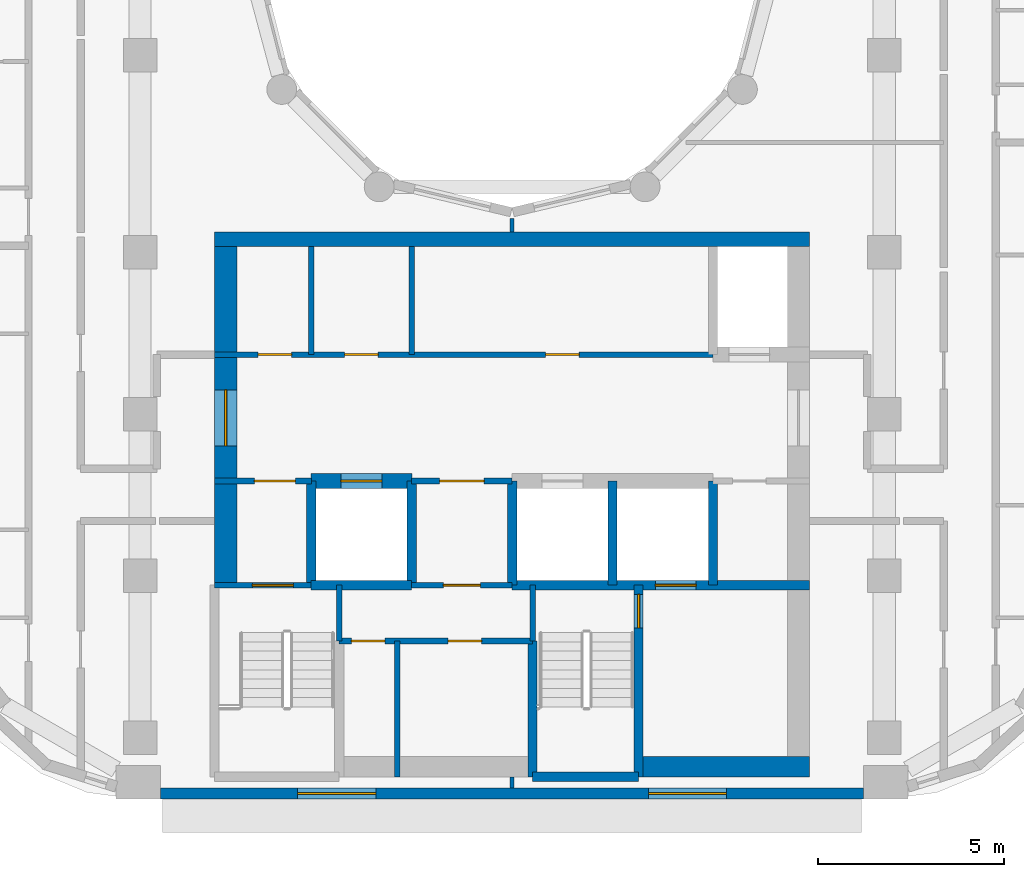
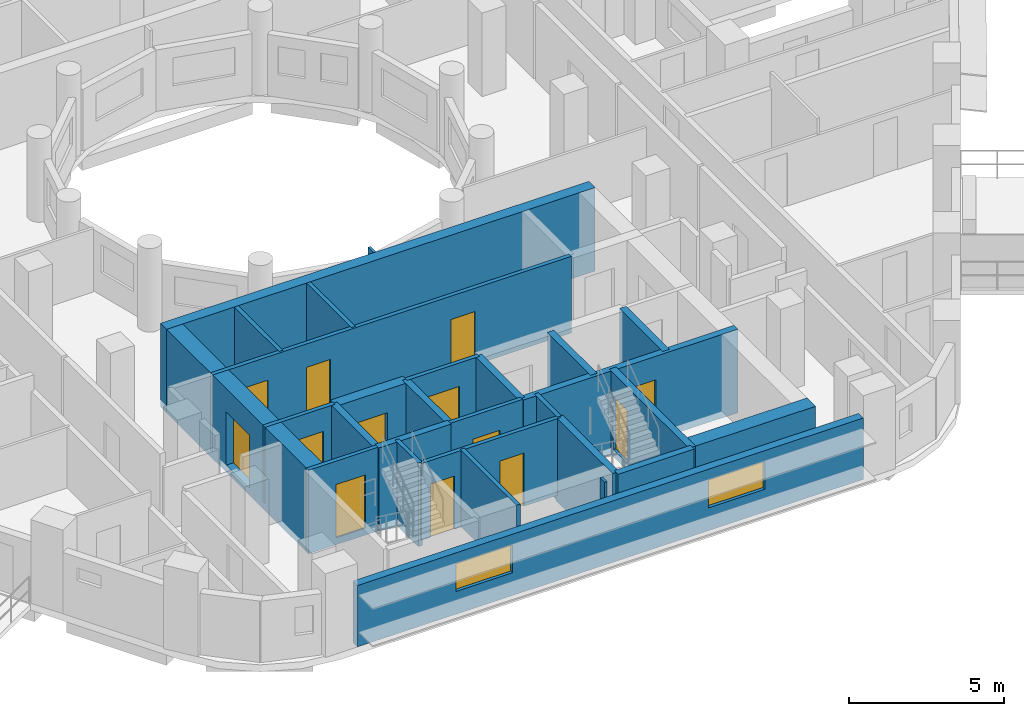
# One storey, part 3 of 15: 28 walls, 13 doors, 2 windows, 15 openings.
"""IFC4 building model written with IfcOpenShell, lengths in metres."""

from ifc_helpers import new_model, si_unit, direction, frame, frame_2d, origin, place, context, subcontext, project, spatial, rectangle, extrude, material, layer, layer_set, type_object, element, fill, save


model = new_model("IFC4")

# Units and contexts
model_context = context("Model", 3, precision=1e-05, world=origin(), true_north=direction((0.0, 1.0)))
body_context = subcontext(model_context, "Body", "Model", "MODEL_VIEW")
ifc_project = project(units=[si_unit("LENGTHUNIT", "METRE"), si_unit("AREAUNIT", "SQUARE_METRE"), si_unit("VOLUMEUNIT", "CUBIC_METRE"), si_unit("PLANEANGLEUNIT", "RADIAN"), si_unit("MASSUNIT", "GRAM", prefix="KILO")], contexts=[model_context])

# Site, building, storey
site_placement = place(None, origin())
site = spatial("IfcSite", under=ifc_project, at=site_placement, CompositionType="ELEMENT")
building_placement = place(site_placement, origin())
building = spatial("IfcBuilding", under=site, at=building_placement, Name="Nakaniwa Court", CompositionType="ELEMENT")
storey_placement = place(building_placement, frame((0.0, 0.0, 183.300048828125)))
storey = spatial("IfcBuildingStorey", under=building, at=storey_placement, Name="L47", CompositionType="ELEMENT", Elevation=183.300048828125)

# Wall, openings, windows
ifc_material_1 = material(Name="Charcoal ceramic cladding")
ifc_layer_1 = layer(ifc_material_1, 0.02, Name="Ceramic cladding")
ifc_material_2 = material(Name="Ventilated air cavity")
ifc_layer_2 = layer(ifc_material_2, 0.04, ventilated=True, Name="Ventilated cavity")
ifc_material_3 = material(Name="Mineral wool insulation")
ifc_layer_3 = layer(ifc_material_3, 0.1, Name="Insulation")
ifc_material_4 = material(Name="Cement bonded sheathing board")
ifc_layer_4 = layer(ifc_material_4, 0.012, Name="Sheathing")
ifc_material_5 = material(Name="Cold-formed galvanised stud frame with mineral wool infill")
ifc_layer_5 = layer(ifc_material_5, 0.1, Name="Stud frame")
ifc_material_6 = material(Name="Fire-rated gypsum plasterboard lining")
ifc_layer_6 = layer(ifc_material_6, 0.028, Name="Lining")
ifc_layer_set_1 = layer_set([ifc_layer_1, ifc_layer_2, ifc_layer_3, ifc_layer_4, ifc_layer_5, ifc_layer_6], Name="Charcoal ceramic faced external wall system")
wall_type_1 = type_object("IfcWallType", Name="Black ceramic faced external wall 300", PredefinedType="SOLIDWALL", material=ifc_layer_set_1)
wall_1_placement = place(storey_placement, frame((70.55078125, 57.5, 0.0), z_axis=(0.0, 0.0, 1.0), x_axis=(1.0, 0.0, 0.0)))
wall_1 = element("IfcWall", 1, at=wall_1_placement, inside=storey, type_object=wall_type_1, Name="L47 external wall 26", PredefinedType="SOLIDWALL", context=body_context, shape_type="SweptSolid", body=[
    extrude(rectangle(XDim=18.892822265625, YDim=0.300048828125, at=frame_2d((9.4462890625, 0.0))), origin(), (0.0, 0.0, 1.0), 2.425048828125),
])
opening_1_placement = place(wall_1_placement, frame((3.6865234375, 0.0, 0.89990234375)))
opening_1 = element("IfcOpeningElement", 2, at=opening_1_placement, cuts=wall_1, Name="Opening W7.27", PredefinedType="OPENING", context=body_context, shape_type="SweptSolid", body=[
    extrude(rectangle(XDim=2.10009765625, YDim=1.10009765625, at=frame_2d((1.050048828125, 0.550048828125))), frame((0.0, 0.159912109375, 0.0), z_axis=(0.0, -1.0, 0.0), x_axis=(1.0, 0.0, 0.0)), (0.0, 0.0, 1.0), 0.320068359375),
])
opening_2_placement = place(wall_1_placement, frame((13.10888671875, 0.0, 0.89990234375)))
opening_2 = element("IfcOpeningElement", 3, at=opening_2_placement, cuts=wall_1, Name="Opening W7.28", PredefinedType="OPENING", context=body_context, shape_type="SweptSolid", body=[
    extrude(rectangle(XDim=2.10009765625, YDim=1.10009765625, at=frame_2d((1.050048828125, 0.550048828125))), frame((0.0, 0.159912109375, 0.0), z_axis=(0.0, -1.0, 0.0), x_axis=(1.0, 0.0, 0.0)), (0.0, 0.0, 1.0), 0.320068359375),
])
ifc_material_7 = material(Name="Black anodised aluminium frame with dark low-E laminated double glazing", Category="aluminium")
window_type = type_object("IfcWindowType", Name="Dark glass window 2100x1100 sill 900", PartitioningType="SINGLE_PANEL", PredefinedType="WINDOW", material=ifc_material_7)
window_1_placement = place(opening_1_placement, origin())
window_1 = element("IfcWindow", 4, at=window_1_placement, inside=storey, type_object=window_type, Name="L47 habitable room window 26-0", OverallHeight=1.10009765625, OverallWidth=2.10009765625, PartitioningType="SINGLE_PANEL", PredefinedType="WINDOW", context=body_context, shape_type="SweptSolid", body=[
    extrude(rectangle(XDim=2.10009765625, YDim=1.10009765625, at=frame_2d((1.050048828125, 0.550048828125))), frame((0.0, 0.030029296875, 0.0), z_axis=(0.0, -1.0, 0.0), x_axis=(1.0, 0.0, 0.0)), (0.0, 0.0, 1.0), 0.06005859375),
])
fill(opening_1, window_1)
window_2_placement = place(opening_2_placement, origin())
window_2 = element("IfcWindow", 5, at=window_2_placement, inside=storey, type_object=window_type, Name="L47 habitable room window 26-1", OverallHeight=1.10009765625, OverallWidth=2.10009765625, PartitioningType="SINGLE_PANEL", PredefinedType="WINDOW", context=body_context, shape_type="SweptSolid", body=[
    extrude(rectangle(XDim=2.10009765625, YDim=1.10009765625, at=frame_2d((1.050048828125, 0.550048828125))), frame((0.0, 0.030029296875, 0.0), z_axis=(0.0, -1.0, 0.0), x_axis=(1.0, 0.0, 0.0)), (0.0, 0.0, 1.0), 0.06005859375),
])
fill(opening_2, window_2)

# Wall
ifc_material_8 = material(Name="Blockwork partition", Category="masonry")
ifc_layer_7 = layer(ifc_material_8, 0.14990234375)
ifc_layer_set_2 = layer_set([ifc_layer_7], Name="Blockwork partition")
wall_type_2 = type_object("IfcWallType", Name="Blockwork partition 150", PredefinedType="PARTITIONING", material=ifc_layer_set_2)
wall_2_placement = place(storey_placement, frame((74.60009765625, 69.300048828125, 0.0), z_axis=(0.0, 0.0, 1.0), x_axis=(0.0, 1.0, 0.0)))
element("IfcWall", 6, at=wall_2_placement, inside=storey, type_object=wall_type_2, Name="Partition PW-034", PredefinedType="PARTITIONING", context=body_context, shape_type="SweptSolid", body=[
    extrude(rectangle(XDim=2.89990234375, YDim=0.14990234375, at=frame_2d((1.449951171875, 0.0))), origin(), (0.0, 0.0, 1.0), 3.02490234375),
])

# Wall, openings, doors
wall_3_placement = place(storey_placement, frame((72.0, 69.300048828125, 0.0), z_axis=(0.0, 0.0, 1.0), x_axis=(1.0, 0.0, 0.0)))
wall_3 = element("IfcWall", 7, at=wall_3_placement, inside=storey, type_object=wall_type_2, Name="Partition PW-035", PredefinedType="PARTITIONING", context=body_context, shape_type="SweptSolid", body=[
    extrude(rectangle(XDim=13.39990234375, YDim=0.14990234375, at=frame_2d((6.699951171875, 0.0))), origin(), (0.0, 0.0, 1.0), 3.02490234375),
])
opening_3_placement = place(wall_3_placement, frame((1.175048828125, 0.0, 0.0)))
opening_3 = element("IfcOpeningElement", 8, at=opening_3_placement, cuts=wall_3, Name="Opening D-05-07", PredefinedType="OPENING", context=body_context, shape_type="SweptSolid", body=[
    extrude(rectangle(XDim=0.89990234375, YDim=2.10009765625, at=frame_2d((0.449951171875, 1.050048828125))), frame((0.0, 0.0849609375, 0.0), z_axis=(0.0, -1.0, 0.0), x_axis=(1.0, 0.0, 0.0)), (0.0, 0.0, 1.0), 0.169921875),
])
opening_4_placement = place(wall_3_placement, frame((3.5, 0.0, 0.0)))
opening_4 = element("IfcOpeningElement", 9, at=opening_4_placement, cuts=wall_3, Name="Opening D-05-08", PredefinedType="OPENING", context=body_context, shape_type="SweptSolid", body=[
    extrude(rectangle(XDim=0.89990234375, YDim=2.10009765625, at=frame_2d((0.449951171875, 1.050048828125))), frame((0.0, 0.0849609375, 0.0), z_axis=(0.0, -1.0, 0.0), x_axis=(1.0, 0.0, 0.0)), (0.0, 0.0, 1.0), 0.169921875),
])
opening_5_placement = place(wall_3_placement, frame((8.89990234375, 0.0, 0.0)))
opening_5 = element("IfcOpeningElement", 10, at=opening_5_placement, cuts=wall_3, Name="Opening D-05-09", PredefinedType="OPENING", context=body_context, shape_type="SweptSolid", body=[
    extrude(rectangle(XDim=0.89990234375, YDim=2.10009765625, at=frame_2d((0.449951171875, 1.050048828125))), frame((0.0, 0.0849609375, 0.0), z_axis=(0.0, -1.0, 0.0), x_axis=(1.0, 0.0, 0.0)), (0.0, 0.0, 1.0), 0.169921875),
])
ifc_material_9 = material(Name="Fire rated steel door set", Category="steel")
door_type_1 = type_object("IfcDoorType", Name="Service room door 900", OperationType="NOTDEFINED", PredefinedType="DOOR", material=ifc_material_9)
door_1_placement = place(opening_3_placement, origin())
door_1 = element("IfcDoor", 11, at=door_1_placement, inside=storey, type_object=door_type_1, Name="Door D-05-07 L47-012", OperationType="SINGLE_SWING_LEFT", OverallHeight=2.10009765625, OverallWidth=0.89990234375, PredefinedType="DOOR", context=body_context, shape_type="SweptSolid", body=[
    extrude(rectangle(XDim=0.89990234375, YDim=2.10009765625, at=frame_2d((0.449951171875, 1.050048828125))), frame((0.0, 0.02490234375, 0.0), z_axis=(0.0, -1.0, 0.0), x_axis=(1.0, 0.0, 0.0)), (0.0, 0.0, 1.0), 0.050048828125),
])
fill(opening_3, door_1)
door_2_placement = place(opening_4_placement, origin())
door_2 = element("IfcDoor", 12, at=door_2_placement, inside=storey, type_object=door_type_1, Name="Door D-05-08 L47-013", OperationType="SINGLE_SWING_RIGHT", OverallHeight=2.10009765625, OverallWidth=0.89990234375, PredefinedType="DOOR", context=body_context, shape_type="SweptSolid", body=[
    extrude(rectangle(XDim=0.89990234375, YDim=2.10009765625, at=frame_2d((0.449951171875, 1.050048828125))), frame((0.0, 0.02490234375, 0.0), z_axis=(0.0, -1.0, 0.0), x_axis=(1.0, 0.0, 0.0)), (0.0, 0.0, 1.0), 0.050048828125),
])
fill(opening_4, door_2)
door_3_placement = place(opening_5_placement, origin())
door_3 = element("IfcDoor", 13, at=door_3_placement, inside=storey, type_object=door_type_1, Name="Door D-05-09 L47-014", OperationType="SINGLE_SWING_LEFT", OverallHeight=2.10009765625, OverallWidth=0.89990234375, PredefinedType="DOOR", context=body_context, shape_type="SweptSolid", body=[
    extrude(rectangle(XDim=0.89990234375, YDim=2.10009765625, at=frame_2d((0.449951171875, 1.050048828125))), frame((0.0, 0.02490234375, 0.0), z_axis=(0.0, -1.0, 0.0), x_axis=(1.0, 0.0, 0.0)), (0.0, 0.0, 1.0), 0.050048828125),
])
fill(opening_5, door_3)

# Wall
wall_4_placement = place(storey_placement, frame((77.300048828125, 69.300048828125, 0.0), z_axis=(0.0, 0.0, 1.0), x_axis=(0.0, 1.0, 0.0)))
element("IfcWall", 14, at=wall_4_placement, inside=storey, type_object=wall_type_2, Name="Partition PW-041", PredefinedType="PARTITIONING", context=body_context, shape_type="SweptSolid", body=[
    extrude(rectangle(XDim=2.89990234375, YDim=0.14990234375, at=frame_2d((1.449951171875, 0.0))), origin(), (0.0, 0.0, 1.0), 3.02490234375),
])

# Wall, opening, door
wall_5_placement = place(storey_placement, frame((74.60302734375, 65.89990234375, 0.0), z_axis=(0.0, 0.0, 1.0), x_axis=(-1.0, 0.0, 0.0)))
wall_5 = element("IfcWall", 15, at=wall_5_placement, inside=storey, type_object=wall_type_2, Name="Partition PW-042", PredefinedType="PARTITIONING", context=body_context, shape_type="SweptSolid", body=[
    extrude(rectangle(XDim=2.60302734375, YDim=0.14990234375, at=frame_2d((1.301513671875, 0.0))), origin(), (0.0, 0.0, 1.0), 3.02490234375),
])
opening_6_placement = place(wall_5_placement, frame((0.427978515625, 0.0, 0.0)))
opening_6 = element("IfcOpeningElement", 16, at=opening_6_placement, cuts=wall_5, Name="Opening D-08-02", PredefinedType="OPENING", context=body_context, shape_type="SweptSolid", body=[
    extrude(rectangle(XDim=1.10009765625, YDim=2.10009765625, at=frame_2d((0.550048828125, 1.050048828125))), frame((0.0, 0.0849609375, 0.0), z_axis=(0.0, -1.0, 0.0), x_axis=(1.0, 0.0, 0.0)), (0.0, 0.0, 1.0), 0.169921875),
])
door_type_2 = type_object("IfcDoorType", Name="Stair lobby door 1100", OperationType="NOTDEFINED", PredefinedType="DOOR", material=ifc_material_9)
door_4_placement = place(opening_6_placement, origin())
door_4 = element("IfcDoor", 17, at=door_4_placement, inside=storey, type_object=door_type_2, Name="Door D-08-02 L47-015", OperationType="SINGLE_SWING_RIGHT", OverallHeight=2.10009765625, OverallWidth=1.10009765625, PredefinedType="DOOR", context=body_context, shape_type="SweptSolid", body=[
    extrude(rectangle(XDim=1.10009765625, YDim=2.10009765625, at=frame_2d((0.550048828125, 1.050048828125))), frame((0.0, 0.02490234375, 0.0), z_axis=(0.0, -1.0, 0.0), x_axis=(1.0, 0.0, 0.0)), (0.0, 0.0, 1.0), 0.050048828125),
])
fill(opening_6, door_4)

wall_6_placement = place(storey_placement, frame((80.0029296875, 65.89990234375, 0.0), z_axis=(0.0, 0.0, 1.0), x_axis=(-1.0, 0.0, 0.0)))
wall_6 = element("IfcWall", 18, at=wall_6_placement, inside=storey, type_object=wall_type_2, Name="Partition PW-043", PredefinedType="PARTITIONING", context=body_context, shape_type="SweptSolid", body=[
    extrude(rectangle(XDim=2.705810546875, YDim=0.14990234375, at=frame_2d((1.35302734375, 0.0))), origin(), (0.0, 0.0, 1.0), 3.02490234375),
])
opening_7_placement = place(wall_6_placement, frame((0.7529296875, 0.0, 0.0)))
opening_7 = element("IfcOpeningElement", 19, at=opening_7_placement, cuts=wall_6, Name="Opening D-06-02", PredefinedType="OPENING", context=body_context, shape_type="SweptSolid", body=[
    extrude(rectangle(XDim=1.199951171875, YDim=2.10009765625, at=frame_2d((0.60009765625, 1.050048828125))), frame((0.0, 0.0849609375, 0.0), z_axis=(0.0, -1.0, 0.0), x_axis=(1.0, 0.0, 0.0)), (0.0, 0.0, 1.0), 0.169921875),
])
ifc_material_10 = material(Name="Fire rated steel double door set", Category="steel")
door_type_3 = type_object("IfcDoorType", Name="Service passage double door 1200", OperationType="NOTDEFINED", PredefinedType="DOOR", material=ifc_material_10)
door_5_placement = place(opening_7_placement, origin())
door_5 = element("IfcDoor", 20, at=door_5_placement, inside=storey, type_object=door_type_3, Name="Door D-06-02 L47-016", OperationType="DOUBLE_DOOR_SINGLE_SWING", OverallHeight=2.10009765625, OverallWidth=1.199951171875, PredefinedType="DOOR", context=body_context, shape_type="SweptSolid", body=[
    extrude(rectangle(XDim=1.199951171875, YDim=2.10009765625, at=frame_2d((0.60009765625, 1.050048828125))), frame((0.0, 0.02490234375, 0.0), z_axis=(0.0, -1.0, 0.0), x_axis=(1.0, 0.0, 0.0)), (0.0, 0.0, 1.0), 0.050048828125),
])
fill(opening_7, door_5)

wall_7_placement = place(storey_placement, frame((80.0, 63.10009765625, 0.0), z_axis=(0.0, 0.0, 1.0), x_axis=(-1.0, 0.0, 0.0)))
wall_7 = element("IfcWall", 21, at=wall_7_placement, inside=storey, type_object=wall_type_2, Name="Partition PW-053", PredefinedType="PARTITIONING", context=body_context, shape_type="SweptSolid", body=[
    extrude(rectangle(XDim=2.699951171875, YDim=0.14990234375, at=frame_2d((1.35009765625, 0.0))), origin(), (0.0, 0.0, 1.0), 3.02490234375),
])
opening_8_placement = place(wall_7_placement, frame((0.85009765625, 0.0, 0.0)))
opening_8 = element("IfcOpeningElement", 22, at=opening_8_placement, cuts=wall_7, Name="Opening D-23-02", PredefinedType="OPENING", context=body_context, shape_type="SweptSolid", body=[
    extrude(rectangle(XDim=1.0, YDim=2.10009765625, at=frame_2d((0.5, 1.050048828125))), frame((0.0, 0.0849609375, 0.0), z_axis=(0.0, -1.0, 0.0), x_axis=(1.0, 0.0, 0.0)), (0.0, 0.0, 1.0), 0.169921875),
])
door_type_4 = type_object("IfcDoorType", Name="Service room door 1000", OperationType="NOTDEFINED", PredefinedType="DOOR", material=ifc_material_9)
door_6_placement = place(opening_8_placement, origin())
door_6 = element("IfcDoor", 23, at=door_6_placement, inside=storey, type_object=door_type_4, Name="Door D-23-02 L47-018", OperationType="SINGLE_SWING_LEFT", OverallHeight=2.10009765625, OverallWidth=1.0, PredefinedType="DOOR", context=body_context, shape_type="SweptSolid", body=[
    extrude(rectangle(XDim=1.0, YDim=2.10009765625, at=frame_2d((0.5, 1.050048828125))), frame((0.0, 0.02490234375, 0.0), z_axis=(0.0, -1.0, 0.0), x_axis=(1.0, 0.0, 0.0)), (0.0, 0.0, 1.0), 0.050048828125),
])
fill(opening_8, door_6)

# Wall, openings, doors
wall_8_placement = place(storey_placement, frame((80.550048828125, 61.60009765625, 0.0), z_axis=(0.0, 0.0, 1.0), x_axis=(-1.0, 0.0, 0.0)))
wall_8 = element("IfcWall", 24, at=wall_8_placement, inside=storey, type_object=wall_type_2, Name="Partition PW-065", PredefinedType="PARTITIONING", context=body_context, shape_type="SweptSolid", body=[
    extrude(rectangle(XDim=5.199951171875, YDim=0.14990234375, at=frame_2d((2.60009765625, 0.0))), origin(), (0.0, 0.0, 1.0), 3.02490234375),
])
opening_9_placement = place(wall_8_placement, frame((3.969970703125, 0.0, 0.0)))
opening_9 = element("IfcOpeningElement", 25, at=opening_9_placement, cuts=wall_8, Name="Opening D-05-11", PredefinedType="OPENING", context=body_context, shape_type="SweptSolid", body=[
    extrude(rectangle(XDim=0.89990234375, YDim=2.10009765625, at=frame_2d((0.449951171875, 1.050048828125))), frame((0.0, 0.0849609375, 0.0), z_axis=(0.0, -1.0, 0.0), x_axis=(1.0, 0.0, 0.0)), (0.0, 0.0, 1.0), 0.169921875),
])
opening_10_placement = place(wall_8_placement, frame((1.3701171875, 0.0, 0.0)))
opening_10 = element("IfcOpeningElement", 26, at=opening_10_placement, cuts=wall_8, Name="Opening D-05-12", PredefinedType="OPENING", context=body_context, shape_type="SweptSolid", body=[
    extrude(rectangle(XDim=0.89990234375, YDim=2.10009765625, at=frame_2d((0.449951171875, 1.050048828125))), frame((0.0, 0.0849609375, 0.0), z_axis=(0.0, -1.0, 0.0), x_axis=(1.0, 0.0, 0.0)), (0.0, 0.0, 1.0), 0.169921875),
])
door_7_placement = place(opening_9_placement, origin())
door_7 = element("IfcDoor", 27, at=door_7_placement, inside=storey, type_object=door_type_1, Name="Door D-05-11 L47-019", OperationType="SINGLE_SWING_RIGHT", OverallHeight=2.10009765625, OverallWidth=0.89990234375, PredefinedType="DOOR", context=body_context, shape_type="SweptSolid", body=[
    extrude(rectangle(XDim=0.89990234375, YDim=2.10009765625, at=frame_2d((0.449951171875, 1.050048828125))), frame((0.0, 0.02490234375, 0.0), z_axis=(0.0, -1.0, 0.0), x_axis=(1.0, 0.0, 0.0)), (0.0, 0.0, 1.0), 0.050048828125),
])
fill(opening_9, door_7)
door_8_placement = place(opening_10_placement, origin())
door_8 = element("IfcDoor", 28, at=door_8_placement, inside=storey, type_object=door_type_1, Name="Door D-05-12 L47-020", OperationType="SINGLE_SWING_LEFT", OverallHeight=2.10009765625, OverallWidth=0.89990234375, PredefinedType="DOOR", context=body_context, shape_type="SweptSolid", body=[
    extrude(rectangle(XDim=0.89990234375, YDim=2.10009765625, at=frame_2d((0.449951171875, 1.050048828125))), frame((0.0, 0.02490234375, 0.0), z_axis=(0.0, -1.0, 0.0), x_axis=(1.0, 0.0, 0.0)), (0.0, 0.0, 1.0), 0.050048828125),
])
fill(opening_10, door_8)

# Wall
wall_9_placement = place(storey_placement, frame((76.909912109375, 57.949951171875, 0.0), z_axis=(0.0, 0.0, 1.0), x_axis=(0.0, 1.0, 0.0)))
element("IfcWall", 29, at=wall_9_placement, inside=storey, type_object=wall_type_2, Name="Partition PW-066", PredefinedType="PARTITIONING", context=body_context, shape_type="SweptSolid", body=[
    extrude(rectangle(XDim=3.650146484375, YDim=0.14990234375, at=frame_2d((1.8251953125, 0.0))), origin(), (0.0, 0.0, 1.0), 3.02490234375),
])

# Wall, opening, door
ifc_material_11 = material(Name="Concrete C80/100", Category="concrete")
ifc_layer_8 = layer(ifc_material_11, 0.60009765625)
ifc_layer_set_3 = layer_set([ifc_layer_8], Name="Concrete C80/100")
wall_type_3 = type_object("IfcWallType", Name="Concrete core side wall 600 C80", PredefinedType="SHEAR", material=ifc_layer_set_3)
wall_10_placement = place(storey_placement, frame((72.300048828125, 63.10009765625, -0.275146484375), z_axis=(0.0, 0.0, 1.0), x_axis=(0.0, 1.0, 0.0)))
wall_10 = element("IfcWall", 30, at=wall_10_placement, inside=storey, type_object=wall_type_3, Name="Core wall SW-36", PredefinedType="SHEAR", context=body_context, shape_type="SweptSolid", body=[
    extrude(rectangle(XDim=9.099853515625, YDim=0.60009765625, at=frame_2d((4.5498046875, 0.0))), origin(), (0.0, 0.0, 1.0), 3.300048828125),
])
opening_11_placement = place(wall_10_placement, frame((3.748046875, 0.0, 0.27490234375)))
opening_11 = element("IfcOpeningElement", 31, at=opening_11_placement, cuts=wall_10, Name="Opening D-07-04", PredefinedType="OPENING", context=body_context, shape_type="SweptSolid", body=[
    extrude(rectangle(XDim=1.5, YDim=2.10009765625, at=frame_2d((0.75, 1.050048828125))), frame((0.0, 0.31005859375, 0.0), z_axis=(0.0, -1.0, 0.0), x_axis=(1.0, 0.0, 0.0)), (0.0, 0.0, 1.0), 0.6201171875),
])
ifc_material_12 = material(Name="Glazed fire rated steel double door set", Category="steel")
door_type_5 = type_object("IfcDoorType", Name="Lobby double door 1500", OperationType="NOTDEFINED", PredefinedType="DOOR", material=ifc_material_12)
door_9_placement = place(opening_11_placement, origin())
door_9 = element("IfcDoor", 32, at=door_9_placement, inside=storey, type_object=door_type_5, Name="Door D-07-04 L47-055", OperationType="DOUBLE_DOOR_SINGLE_SWING", OverallHeight=2.10009765625, OverallWidth=1.5, PredefinedType="DOOR", context=body_context, shape_type="SweptSolid", body=[
    extrude(rectangle(XDim=1.5, YDim=2.10009765625, at=frame_2d((0.75, 1.050048828125))), frame((0.0, 0.02490234375, 0.0), z_axis=(0.0, -1.0, 0.0), x_axis=(1.0, 0.0, 0.0)), (0.0, 0.0, 1.0), 0.050048828125),
])
fill(opening_11, door_9)

ifc_layer_9 = layer(ifc_material_11, 0.39990234375)
ifc_layer_set_4 = layer_set([ifc_layer_9], Name="Concrete C80/100")
wall_type_4 = type_object("IfcWallType", Name="Concrete core spine wall 400 C80", PredefinedType="SHEAR", material=ifc_layer_set_4)
wall_11_placement = place(storey_placement, frame((74.596923828125, 65.89990234375, -0.275146484375), z_axis=(0.0, 0.0, 1.0), x_axis=(1.0, 0.0, 0.0)))
wall_11 = element("IfcWall", 33, at=wall_11_placement, inside=storey, type_object=wall_type_4, Name="Core wall SW-45", PredefinedType="SHEAR", context=body_context, shape_type="SweptSolid", body=[
    extrude(rectangle(XDim=2.7060546875, YDim=0.39990234375, at=frame_2d((1.35302734375, 0.0))), origin(), (0.0, 0.0, 1.0), 3.300048828125),
])
opening_12_placement = place(wall_11_placement, frame((0.802978515625, 0.0, 0.27490234375)))
opening_12 = element("IfcOpeningElement", 34, at=opening_12_placement, cuts=wall_11, Name="Opening LD06", PredefinedType="OPENING", context=body_context, shape_type="SweptSolid", body=[
    extrude(rectangle(XDim=1.10009765625, YDim=2.10009765625, at=frame_2d((0.550048828125, 1.050048828125))), frame((0.0, 0.2099609375, 0.0), z_axis=(0.0, -1.0, 0.0), x_axis=(1.0, 0.0, 0.0)), (0.0, 0.0, 1.0), 0.419921875),
])
ifc_material_13 = material(Name="Stainless steel sliding lift landing door", Category="steel")
door_type_6 = type_object("IfcDoorType", Name="Lift landing door 1100", OperationType="NOTDEFINED", PredefinedType="DOOR", material=ifc_material_13)
door_10_placement = place(opening_12_placement, origin())
door_10 = element("IfcDoor", 35, at=door_10_placement, inside=storey, type_object=door_type_6, Name="Lift landing door LD06 L47-006", OperationType="SLIDING_TO_LEFT", OverallHeight=2.10009765625, OverallWidth=1.10009765625, PredefinedType="DOOR", context=body_context, shape_type="SweptSolid", body=[
    extrude(rectangle(XDim=1.10009765625, YDim=2.10009765625, at=frame_2d((0.550048828125, 1.050048828125))), frame((0.0, 0.02490234375, 0.0), z_axis=(0.0, -1.0, 0.0), x_axis=(1.0, 0.0, 0.0)), (0.0, 0.0, 1.0), 0.050048828125),
])
fill(opening_12, door_10)

ifc_layer_10 = layer(ifc_material_11, 0.14990234375)
ifc_layer_set_5 = layer_set([ifc_layer_10], Name="Concrete C80/100")
wall_type_5 = type_object("IfcWallType", Name="Concrete core wall 150 C80", PredefinedType="SHEAR", material=ifc_layer_set_5)
wall_12_placement = place(storey_placement, frame((72.0, 63.10009765625, -0.275146484375), z_axis=(0.0, 0.0, 1.0), x_axis=(1.0, 0.0, 0.0)))
wall_12 = element("IfcWall", 36, at=wall_12_placement, inside=storey, type_object=wall_type_5, Name="Core wall SW-48", PredefinedType="SHEAR", context=body_context, shape_type="SweptSolid", body=[
    extrude(rectangle(XDim=2.60009765625, YDim=0.14990234375, at=frame_2d((1.300048828125, 0.0))), origin(), (0.0, 0.0, 1.0), 3.300048828125),
])
opening_13_placement = place(wall_12_placement, frame((1.02001953125, 0.0, 0.27490234375)))
opening_13 = element("IfcOpeningElement", 37, at=opening_13_placement, cuts=wall_12, Name="Opening D-09-02", PredefinedType="OPENING", context=body_context, shape_type="SweptSolid", body=[
    extrude(rectangle(XDim=1.10009765625, YDim=2.10009765625, at=frame_2d((0.550048828125, 1.050048828125))), frame((0.0, 0.0849609375, 0.0), z_axis=(0.0, -1.0, 0.0), x_axis=(1.0, 0.0, 0.0)), (0.0, 0.0, 1.0), 0.169921875),
])
door_type_7 = type_object("IfcDoorType", Name="Stair door 1100", OperationType="NOTDEFINED", PredefinedType="DOOR", material=ifc_material_9)
door_11_placement = place(opening_13_placement, origin())
door_11 = element("IfcDoor", 38, at=door_11_placement, inside=storey, type_object=door_type_7, Name="Door D-09-02 L47-021", OperationType="SINGLE_SWING_LEFT", OverallHeight=2.10009765625, OverallWidth=1.10009765625, PredefinedType="DOOR", context=body_context, shape_type="SweptSolid", body=[
    extrude(rectangle(XDim=1.10009765625, YDim=2.10009765625, at=frame_2d((0.550048828125, 1.050048828125))), frame((0.0, 0.02490234375, 0.0), z_axis=(0.0, -1.0, 0.0), x_axis=(1.0, 0.0, 0.0)), (0.0, 0.0, 1.0), 0.050048828125),
])
fill(opening_13, door_11)

# Walls
for number, where, z_axis, x_axis, name in (
    (39, (75.35009765625, 61.596923828125, -0.275146484375), (0.0, 0.0, 1.0), (0.0, 1.0, 0.0), "Core wall SW-55"),
    (40, (80.550048828125, 61.596923828125, -0.275146484375), (0.0, 0.0, 1.0), (0.0, 1.0, 0.0), "Core wall SW-61"),
):
    element("IfcWall", number, at=place(storey_placement, frame(where, z_axis=z_axis, x_axis=x_axis)), inside=storey, type_object=wall_type_5, Name=name, PredefinedType="SHEAR", context=body_context, shape_type="SweptSolid", body=[
        extrude(rectangle(XDim=1.503173828125, YDim=0.14990234375, at=frame_2d((0.75146484375, 0.0))), origin(), (0.0, 0.0, 1.0), 3.300048828125),
    ])
ifc_layer_11 = layer(ifc_material_11, 0.25)
ifc_layer_set_6 = layer_set([ifc_layer_11], Name="Concrete C80/100")
wall_type_6 = type_object("IfcWallType", Name="Concrete core wall 250 C80", PredefinedType="SHEAR", material=ifc_layer_set_6)
wall_13_placement = place(storey_placement, frame((80.550048828125, 57.949951171875, -0.275146484375), z_axis=(0.0, 0.0, 1.0), x_axis=(1.0, 0.0, 0.0)))
element("IfcWall", 41, at=wall_13_placement, inside=storey, type_object=wall_type_6, Name="Core wall SW-59", PredefinedType="SHEAR", context=body_context, shape_type="SweptSolid", body=[
    extrude(rectangle(XDim=2.849853515625, YDim=0.25, at=frame_2d((1.4248046875, 0.0))), origin(), (0.0, 0.0, 1.0), 3.300048828125),
])
ifc_layer_12 = layer(ifc_material_11, 0.550048828125)
ifc_layer_set_7 = layer_set([ifc_layer_12], Name="Concrete C80/100")
wall_type_7 = type_object("IfcWallType", Name="Concrete core wall 550 C80", PredefinedType="SHEAR", material=ifc_layer_set_7)
wall_14_placement = place(storey_placement, frame((83.39990234375, 58.22509765625, -0.275146484375), z_axis=(0.0, 0.0, 1.0), x_axis=(1.0, 0.0, 0.0)))
element("IfcWall", 42, at=wall_14_placement, inside=storey, type_object=wall_type_7, Name="Core wall SW-64", PredefinedType="SHEAR", context=body_context, shape_type="SweptSolid", body=[
    extrude(rectangle(XDim=4.60009765625, YDim=0.550048828125, at=frame_2d((2.300048828125, 0.0))), origin(), (0.0, 0.0, 1.0), 3.300048828125),
])
ifc_layer_13 = layer(ifc_material_11, 0.39990234375)
ifc_layer_set_8 = layer_set([ifc_layer_13], Name="Concrete C80/100")
wall_type_8 = type_object("IfcWallType", Name="Concrete core well wall 400 C80", PredefinedType="SHEAR", material=ifc_layer_set_8)
wall_15_placement = place(storey_placement, frame((72.00390625, 72.39990234375, -0.275146484375), z_axis=(0.0, 0.0, 1.0), x_axis=(1.0, 0.0, 0.0)))
element("IfcWall", 43, at=wall_15_placement, inside=storey, type_object=wall_type_8, Name="Core wall SW-133", PredefinedType="SHEAR", context=body_context, shape_type="SweptSolid", body=[
    extrude(rectangle(XDim=15.9921875, YDim=0.39990234375, at=frame_2d((7.99609375, 0.0))), origin(), (0.0, 0.0, 1.0), 3.300048828125),
])
ifc_layer_14 = layer(ifc_material_11, 0.25)
ifc_layer_set_9 = layer_set([ifc_layer_14], Name="Concrete C80/100")
wall_type_9 = type_object("IfcWallType", Name="Concrete shaft wall 250 C80", PredefinedType="SHEAR", material=ifc_layer_set_9)
for number, where, z_axis, x_axis, name in (
    (44, (85.39990234375, 63.10009765625, -0.275146484375), (0.0, 0.0, 1.0), (0.0, 1.0, 0.0), "Core wall SW-37"),
    (45, (74.60009765625, 63.10009765625, -0.275146484375), (0.0, 0.0, 1.0), (0.0, 1.0, 0.0), "Core wall SW-47"),
    (46, (77.300048828125, 63.10009765625, -0.275146484375), (0.0, 0.0, 1.0), (0.0, 1.0, 0.0), "Core wall SW-49"),
):
    element("IfcWall", number, at=place(storey_placement, frame(where, z_axis=z_axis, x_axis=x_axis)), inside=storey, type_object=wall_type_9, Name=name, PredefinedType="SHEAR", context=body_context, shape_type="SweptSolid", body=[
        extrude(rectangle(XDim=2.7998046875, YDim=0.25, at=frame_2d((1.39990234375, 0.0))), origin(), (0.0, 0.0, 1.0), 3.300048828125),
    ])
wall_16_placement = place(storey_placement, frame((74.60009765625, 63.10009765625, -0.275146484375), z_axis=(0.0, 0.0, 1.0), x_axis=(1.0, 0.0, 0.0)))
element("IfcWall", 47, at=wall_16_placement, inside=storey, type_object=wall_type_9, Name="Core wall SW-50", PredefinedType="SHEAR", context=body_context, shape_type="SweptSolid", body=[
    extrude(rectangle(XDim=2.699951171875, YDim=0.25, at=frame_2d((1.35009765625, 0.0))), origin(), (0.0, 0.0, 1.0), 3.300048828125),
])

# Wall, opening, door
wall_17_placement = place(storey_placement, frame((80.0, 63.10009765625, -0.275146484375), z_axis=(0.0, 0.0, 1.0), x_axis=(1.0, 0.0, 0.0)))
wall_17 = element("IfcWall", 48, at=wall_17_placement, inside=storey, type_object=wall_type_9, Name="Core wall SW-51", PredefinedType="SHEAR", context=body_context, shape_type="SweptSolid", body=[
    extrude(rectangle(XDim=8.0, YDim=0.25, at=frame_2d((4.0, 0.0))), origin(), (0.0, 0.0, 1.0), 3.300048828125),
])
opening_14_placement = place(wall_17_placement, frame((3.84912109375, 0.0, 0.27490234375)))
opening_14 = element("IfcOpeningElement", 49, at=opening_14_placement, cuts=wall_17, Name="Opening LD08", PredefinedType="OPENING", context=body_context, shape_type="SweptSolid", body=[
    extrude(rectangle(XDim=1.10009765625, YDim=2.10009765625, at=frame_2d((0.550048828125, 1.050048828125))), frame((0.0, 0.135009765625, 0.0), z_axis=(0.0, -1.0, 0.0), x_axis=(1.0, 0.0, 0.0)), (0.0, 0.0, 1.0), 0.27001953125),
])
door_12_placement = place(opening_14_placement, origin())
door_12 = element("IfcDoor", 50, at=door_12_placement, inside=storey, type_object=door_type_6, Name="Lift landing door LD08 L47-008", OperationType="SLIDING_TO_LEFT", OverallHeight=2.10009765625, OverallWidth=1.10009765625, PredefinedType="DOOR", context=body_context, shape_type="SweptSolid", body=[
    extrude(rectangle(XDim=1.10009765625, YDim=2.10009765625, at=frame_2d((0.550048828125, 1.050048828125))), frame((0.0, 0.02490234375, 0.0), z_axis=(0.0, -1.0, 0.0), x_axis=(1.0, 0.0, 0.0)), (0.0, 0.0, 1.0), 0.050048828125),
])
fill(opening_14, door_12)

# Walls
for number, where, z_axis, x_axis, name in (
    (51, (80.0, 63.10009765625, -0.275146484375), (0.0, 0.0, 1.0), (0.0, 1.0, 0.0), "Core wall SW-52"),
    (52, (82.699951171875, 63.10009765625, -0.275146484375), (0.0, 0.0, 1.0), (0.0, 1.0, 0.0), "Core wall SW-54"),
):
    element("IfcWall", number, at=place(storey_placement, frame(where, z_axis=z_axis, x_axis=x_axis)), inside=storey, type_object=wall_type_9, Name=name, PredefinedType="SHEAR", context=body_context, shape_type="SweptSolid", body=[
        extrude(rectangle(XDim=2.7998046875, YDim=0.25, at=frame_2d((1.39990234375, 0.0))), origin(), (0.0, 0.0, 1.0), 3.300048828125),
    ])

# Wall, opening, door
wall_18_placement = place(storey_placement, frame((83.39990234375, 63.10009765625, -0.275146484375), z_axis=(0.0, 0.0, 1.0), x_axis=(0.0, -1.0, 0.0)))
wall_18 = element("IfcWall", 53, at=wall_18_placement, inside=storey, type_object=wall_type_9, Name="Core wall SW-60", PredefinedType="SHEAR", context=body_context, shape_type="SweptSolid", body=[
    extrude(rectangle(XDim=5.150146484375, YDim=0.25, at=frame_2d((2.5751953125, 0.0))), origin(), (0.0, 0.0, 1.0), 3.300048828125),
])
opening_15_placement = place(wall_18_placement, frame((0.25, 0.0, 0.27490234375)))
opening_15 = element("IfcOpeningElement", 54, at=opening_15_placement, cuts=wall_18, Name="Opening D-11-02", PredefinedType="OPENING", context=body_context, shape_type="SweptSolid", body=[
    extrude(rectangle(XDim=0.89990234375, YDim=2.10009765625, at=frame_2d((0.449951171875, 1.050048828125))), frame((0.0, 0.135009765625, 0.0), z_axis=(0.0, -1.0, 0.0), x_axis=(1.0, 0.0, 0.0)), (0.0, 0.0, 1.0), 0.27001953125),
])
door_type_8 = type_object("IfcDoorType", Name="Stair door 900", OperationType="NOTDEFINED", PredefinedType="DOOR", material=ifc_material_9)
door_13_placement = place(opening_15_placement, origin())
door_13 = element("IfcDoor", 55, at=door_13_placement, inside=storey, type_object=door_type_8, Name="Door D-11-02 L47-022", OperationType="SINGLE_SWING_RIGHT", OverallHeight=2.10009765625, OverallWidth=0.89990234375, PredefinedType="DOOR", context=body_context, shape_type="SweptSolid", body=[
    extrude(rectangle(XDim=0.89990234375, YDim=2.10009765625, at=frame_2d((0.449951171875, 1.050048828125))), frame((0.0, 0.02490234375, 0.0), z_axis=(0.0, -1.0, 0.0), x_axis=(1.0, 0.0, 0.0)), (0.0, 0.0, 1.0), 0.050048828125),
])
fill(opening_15, door_13)

# Walls
wall_19_placement = place(storey_placement, frame((80.550048828125, 57.949951171875, -0.275146484375), z_axis=(0.0, 0.0, 1.0), x_axis=(0.0, 1.0, 0.0)))
element("IfcWall", 56, at=wall_19_placement, inside=storey, type_object=wall_type_9, Name="Core wall SW-62", PredefinedType="SHEAR", context=body_context, shape_type="SweptSolid", body=[
    extrude(rectangle(XDim=3.653076171875, YDim=0.25, at=frame_2d((1.82666015625, 0.0))), origin(), (0.0, 0.0, 1.0), 3.300048828125),
])
ifc_material_14 = material(Name="Single stud plasterboard partition")
ifc_layer_15 = layer(ifc_material_14, 0.10009765625)
ifc_layer_set_10 = layer_set([ifc_layer_15], Name="Single stud plasterboard partition")
wall_type_10 = type_object("IfcWallType", Name="Single stud plasterboard partition 100", PredefinedType="PARTITIONING", material=ifc_layer_set_10)
wall_20_placement = place(storey_placement, frame((80.0, 57.64990234375, 0.0), z_axis=(0.0, 0.0, 1.0), x_axis=(0.0, 1.0, 0.0)))
element("IfcWall", 57, at=wall_20_placement, inside=storey, type_object=wall_type_10, Name="Partition PW-107", PredefinedType="PARTITIONING", context=body_context, shape_type="SweptSolid", body=[
    extrude(rectangle(XDim=0.300048828125, YDim=0.10009765625, at=frame_2d((0.14990234375, 0.0))), origin(), (0.0, 0.0, 1.0), 3.02490234375),
])
wall_21_placement = place(storey_placement, frame((80.0, 72.60009765625, 0.0), z_axis=(0.0, 0.0, 1.0), x_axis=(0.0, 1.0, 0.0)))
element("IfcWall", 58, at=wall_21_placement, inside=storey, type_object=wall_type_10, Name="Partition PW-108", PredefinedType="PARTITIONING", context=body_context, shape_type="SweptSolid", body=[
    extrude(rectangle(XDim=0.351806640625, YDim=0.10009765625, at=frame_2d((0.17578125, 0.0))), origin(), (0.0, 0.0, 1.0), 3.02490234375),
])

save(model, "model.ifc")
